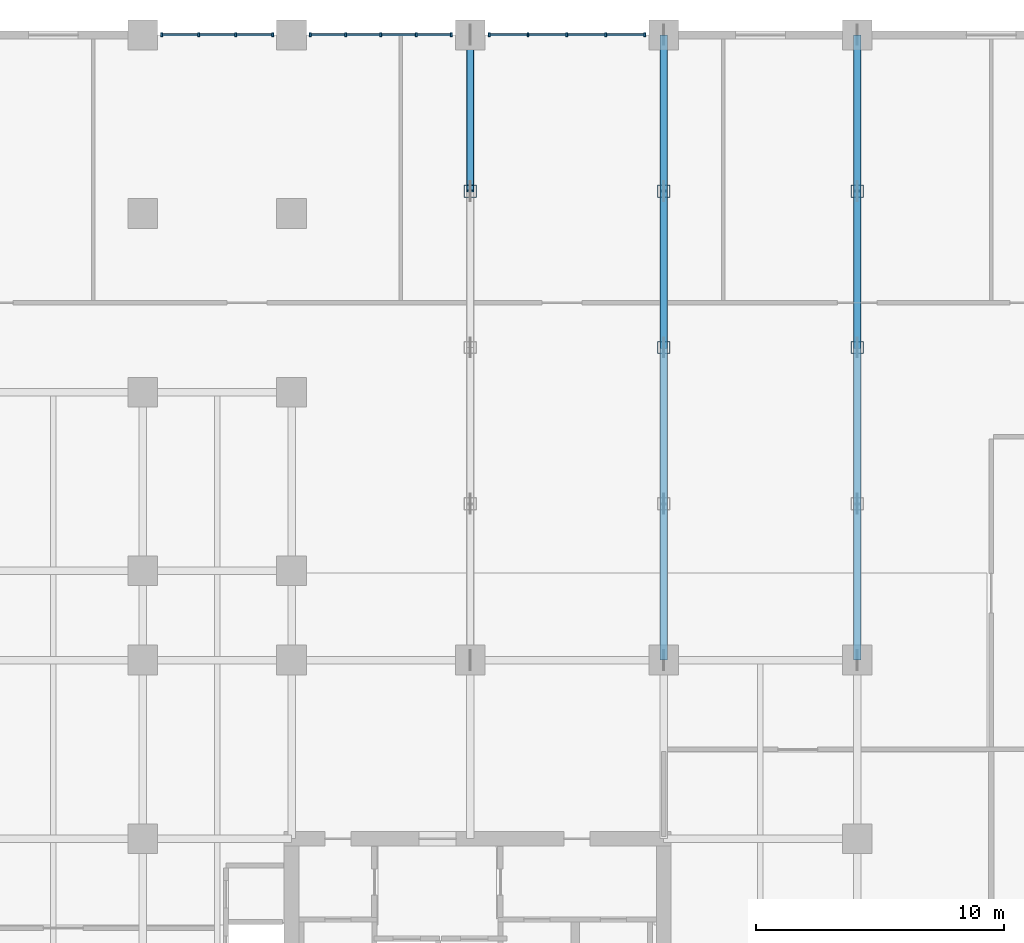
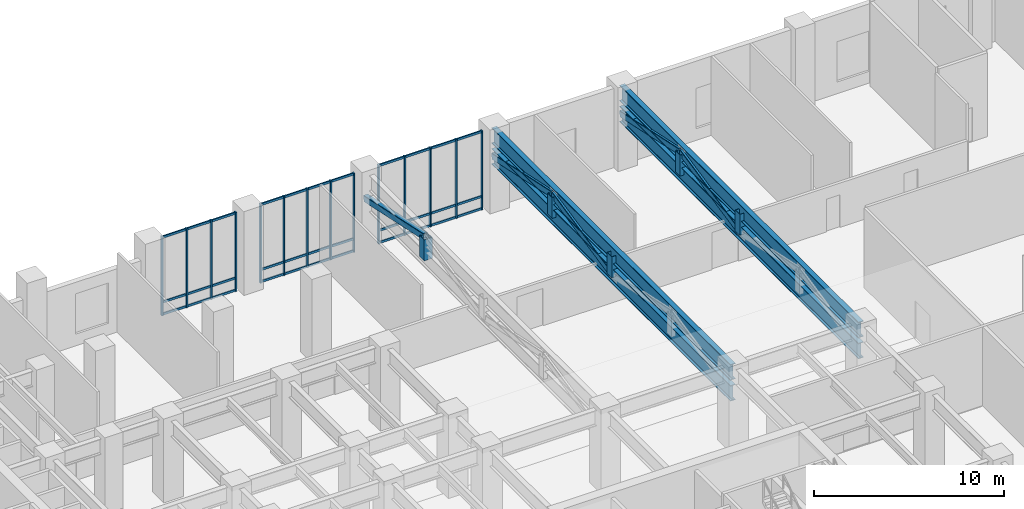
# One storey, part 3 of 19: 61 members, 3 elements without a shape of their own.
"""IFC4 building model written with IfcOpenShell, lengths in metres."""

from ifc_helpers import new_model, si_unit, derived_unit, direction, frame, origin, origin_2d, place, context, subcontext, project, spatial, rectangle, hollow_rectangle, i_section, extrude, source, transform, mapped, material, layer, layer_set, material_profile, profile_set, type_object, type_shapes, element, aggregate, save


model = new_model("IFC4")

# Units and contexts
model_context = context("Model", 3, precision=1e-05, world=origin(), true_north=direction((0.0, 1.0)))
body_context = subcontext(model_context, "Body", "Model", "MODEL_VIEW")
ifc_project = project(units=[si_unit("LENGTHUNIT", "METRE"), si_unit("AREAUNIT", "SQUARE_METRE"), si_unit("VOLUMEUNIT", "CUBIC_METRE"), si_unit("PLANEANGLEUNIT", "RADIAN"), si_unit("MASSUNIT", "GRAM", prefix="KILO"), si_unit("THERMODYNAMICTEMPERATUREUNIT", "KELVIN"), si_unit("POWERUNIT", "WATT"), derived_unit("THERMALTRANSMITTANCEUNIT", [(si_unit("POWERUNIT", "WATT"), 1), (si_unit("AREAUNIT", "SQUARE_METRE"), -1), (si_unit("THERMODYNAMICTEMPERATUREUNIT", "KELVIN"), -1)])], contexts=[model_context])

# Site, building, storey
site_placement = place(None, origin())
site = spatial("IfcSite", under=ifc_project, at=site_placement, CompositionType="ELEMENT")
building_placement = place(site_placement, origin())
building = spatial("IfcBuilding", under=site, at=building_placement, Name="Zahravan Archway Hotel and Residences", CompositionType="ELEMENT")
storey_placement = place(building_placement, frame((0.0, 0.0, 21.60009765625)))
storey = spatial("IfcBuildingStorey", under=building, at=storey_placement, Name="L04", CompositionType="ELEMENT", Elevation=21.60009765625)

# Members
ifc_material_1 = material(Name="Structural Steel S460M", Category="steel")
ifc_material_profile_1 = material_profile(ifc_material_1, i_section(OverallWidth=0.302001953125, OverallDepth=1.008056640625, WebThickness=0.02099609375, FlangeThickness=0.0400390625, FilletRadius=0.030029296875, at=origin_2d()), Name="HEM 1000", Category="steel")
ifc_profile_set_1 = profile_set([ifc_material_profile_1], Name="Structural Steel S460M")
member_type_1 = type_object("IfcMemberType", Name="MEM-CHD-HEM1000", PredefinedType="CHORD", material=ifc_profile_set_1)
shared_shape_1 = source(origin(), body_context, "Body", "SweptSolid", [
    extrude(i_section(OverallWidth=0.302001953125, OverallDepth=1.008056640625, WebThickness=0.02099609375, FlangeThickness=0.0400390625, FilletRadius=0.030029296875, at=origin_2d()), origin(), (0.0, 0.0, 1.0), 25.199951171875),
])
type_shapes(member_type_1, [shared_shape_1])
for number, where, z_axis, x_axis, name in (
    (1, (49.800048828125, 21.60009765625, 4.5498046875), (0.0, 1.0, 0.0), (-1.0, 0.0, 0.0), "L04 Long-Span Transfer Truss 2 Top Chord"),
    (2, (49.800048828125, 21.60009765625, 3.199951171875), (0.0, 1.0, 0.0), (-1.0, 0.0, 0.0), "L04 Long-Span Transfer Truss 2 Bottom Chord"),
    (3, (57.60009765625, 21.60009765625, 4.5498046875), (0.0, 1.0, 0.0), (-1.0, 0.0, 0.0), "L04 Long-Span Transfer Truss 3 Top Chord"),
    (4, (57.60009765625, 21.60009765625, 3.199951171875), (0.0, 1.0, 0.0), (-1.0, 0.0, 0.0), "L04 Long-Span Transfer Truss 3 Bottom Chord"),
):
    element("IfcMember", number, at=place(storey_placement, frame(where, z_axis=z_axis, x_axis=x_axis)), inside=storey, type_object=member_type_1, Name=name, PredefinedType="CHORD", context=body_context, shape_type="MappedRepresentation", body=[
        mapped(shared_shape_1, transform((0.0, 0.0, 0.0), scale=1.0)),
    ])
ifc_material_profile_2 = material_profile(ifc_material_1, hollow_rectangle(XDim=0.5, YDim=0.5, WallThickness=0.02490234375, at=origin_2d()), Name="SHS 500x500x25", Category="steel")
ifc_profile_set_2 = profile_set([ifc_material_profile_2], Name="Structural Steel S460M")
member_type_2 = type_object("IfcMemberType", Name="MEM-POST-SHS500", PredefinedType="POST", material=ifc_profile_set_2)
shared_shape_2 = source(origin(), body_context, "Body", "SweptSolid", [
    extrude(hollow_rectangle(XDim=0.5, YDim=0.5, WallThickness=0.02490234375, at=origin_2d()), origin(), (0.0, 0.0, 1.0), 1.349853515625),
])
for number, where, z_axis, x_axis, name in (
    (5, (42.0, 40.5, 3.199951171875), (0.0, 0.0, 1.0), (1.0, 0.0, 0.0), "L04 Long-Span Truss 1 Post 3"),
    (6, (49.800048828125, 34.199951171875, 3.199951171875), (0.0, 0.0, 1.0), (1.0, 0.0, 0.0), "L04 Long-Span Truss 2 Post 2"),
    (7, (49.800048828125, 40.5, 3.199951171875), (0.0, 0.0, 1.0), (1.0, 0.0, 0.0), "L04 Long-Span Truss 2 Post 3"),
    (8, (57.60009765625, 34.199951171875, 3.199951171875), (0.0, 0.0, 1.0), (1.0, 0.0, 0.0), "L04 Long-Span Truss 3 Post 2"),
    (9, (57.60009765625, 40.5, 3.199951171875), (0.0, 0.0, 1.0), (1.0, 0.0, 0.0), "L04 Long-Span Truss 3 Post 3"),
):
    element("IfcMember", number, at=place(storey_placement, frame(where, z_axis=z_axis, x_axis=x_axis)), inside=storey, type_object=member_type_2, Name=name, PredefinedType="POST", context=body_context, shape_type="MappedRepresentation", body=[
        mapped(shared_shape_2, transform((0.0, 0.0, 0.0), scale=1.0)),
    ])
ifc_material_profile_3 = material_profile(ifc_material_1, hollow_rectangle(XDim=0.300048828125, YDim=0.39990234375, WallThickness=0.02001953125, InnerFilletRadius=0.02001953125, OuterFilletRadius=0.0400390625, at=origin_2d()), Name="RHS 400x300x20", Category="steel")
ifc_profile_set_3 = profile_set([ifc_material_profile_3], Name="Structural Steel S460M")
member_type_3 = type_object("IfcMemberType", Name="MEM-DIAG-RHS430", PredefinedType="BRACE", material=ifc_profile_set_3)
shared_shape_3 = source(origin(), body_context, "Body", "SweptSolid", [
    extrude(hollow_rectangle(XDim=0.300048828125, YDim=0.39990234375, WallThickness=0.02001953125, InnerFilletRadius=0.02001953125, OuterFilletRadius=0.0400390625, at=origin_2d()), origin(), (0.0, 0.0, 1.0), 6.443115234375),
])
for number, where, z_axis, x_axis, name in (
    (10, (42.0, 40.5, 4.5498046875), (0.0, 0.977807404476, -0.209505798851), (-1.0, 0.0, 0.0), "L04 Long-Span Truss 1 Diagonal 4"),
    (11, (49.800048828125, 34.199951171875, 3.199951171875), (0.0, 0.977807404476, 0.209505798851), (-1.0, 0.0, 0.0), "L04 Long-Span Truss 2 Diagonal 3"),
    (12, (49.800048828125, 40.5, 4.5498046875), (0.0, 0.977807404476, -0.209505798851), (-1.0, 0.0, 0.0), "L04 Long-Span Truss 2 Diagonal 4"),
    (13, (57.60009765625, 34.199951171875, 3.199951171875), (0.0, 0.977807404476, 0.209505798851), (-1.0, 0.0, 0.0), "L04 Long-Span Truss 3 Diagonal 3"),
    (14, (57.60009765625, 40.5, 4.5498046875), (0.0, 0.977807404476, -0.209505798851), (-1.0, 0.0, 0.0), "L04 Long-Span Truss 3 Diagonal 4"),
):
    element("IfcMember", number, at=place(storey_placement, frame(where, z_axis=z_axis, x_axis=x_axis)), inside=storey, type_object=member_type_3, Name=name, PredefinedType="BRACE", context=body_context, shape_type="MappedRepresentation", body=[
        mapped(shared_shape_3, transform((0.0, 0.0, 0.0), scale=1.0)),
    ])

# Curtain wall, members
ifc_material_2 = material(Name="Bronze-Anodized Unitised Aluminium & Low-E Glass", Category="aluminium")
ifc_layer = layer(ifc_material_2, 0.179931640625, Name="Bronze-Anodized Unitised Aluminium & Low-E Glass", Category="aluminium")
ifc_layer_set = layer_set([ifc_layer], Name="Bronze-Anodized Unitised Aluminium & Low-E Glass")
curtain_wall_type = type_object("IfcCurtainWallType", Name="CW-POD-ARCH", PredefinedType="NOTDEFINED", material=ifc_layer_set)
curtain_wall_1_placement = place(storey_placement, origin())
curtain_wall_1 = element("IfcCurtainWall", 15, at=curtain_wall_1_placement, inside=storey, type_object=curtain_wall_type, Name="L04 Curtain Wall CW-POD-L04-1", PredefinedType="NOTDEFINED")
ifc_material_3 = material(Name="Bronze-Anodized Extruded Aluminium", Category="aluminium")
ifc_material_profile_4 = material_profile(ifc_material_3, rectangle(XDim=0.080078125, YDim=0.139892578125, at=origin_2d()), Name="TRN 80x140", Category="aluminium")
ifc_profile_set_4 = profile_set([ifc_material_profile_4], Name="Bronze-Anodized Extruded Aluminium")
member_type_4 = type_object("IfcMemberType", Name="CWM-TRN-140", PredefinedType="USERDEFINED", material=ifc_profile_set_4)
shared_shape_4 = source(origin(), body_context, "Body", "SweptSolid", [
    extrude(rectangle(XDim=0.080078125, YDim=0.139892578125, at=origin_2d()), origin(), (0.0, 0.0, 1.0), 1.4130859375),
])
type_shapes(member_type_4, [shared_shape_4])
member_1_placement = place(storey_placement, frame((29.60009765625, 46.800048828125, 0.06982421875), z_axis=(1.0, 0.0, 0.0), x_axis=(0.0, 1.0, 0.0)))
member_1 = element("IfcMember", 16, at=member_1_placement, type_object=member_type_4, Name="CW-POD-L04-1 Transom 0-1", ObjectType="TRANSOM", PredefinedType="USERDEFINED", context=body_context, shape_type="MappedRepresentation", body=[
    mapped(shared_shape_4, transform((0.0, 0.0, 0.0), scale=1.0)),
])
member_2_placement = place(storey_placement, frame((29.60009765625, 46.800048828125, 0.849853515625), z_axis=(1.0, 0.0, 0.0), x_axis=(0.0, 1.0, 0.0)))
member_2 = element("IfcMember", 17, at=member_2_placement, type_object=member_type_4, Name="CW-POD-L04-1 Transom 0-2", ObjectType="TRANSOM", PredefinedType="USERDEFINED", context=body_context, shape_type="MappedRepresentation", body=[
    mapped(shared_shape_4, transform((0.0, 0.0, 0.0), scale=1.0)),
])
member_3_placement = place(storey_placement, frame((29.60009765625, 46.800048828125, 5.02978515625), z_axis=(1.0, 0.0, 0.0), x_axis=(0.0, 1.0, 0.0)))
member_3 = element("IfcMember", 18, at=member_3_placement, type_object=member_type_4, Name="CW-POD-L04-1 Transom 0-3", ObjectType="TRANSOM", PredefinedType="USERDEFINED", context=body_context, shape_type="MappedRepresentation", body=[
    mapped(shared_shape_4, transform((0.0, 0.0, 0.0), scale=1.0)),
])
shared_shape_5 = source(origin(), body_context, "Body", "SweptSolid", [
    extrude(rectangle(XDim=0.080078125, YDim=0.139892578125, at=origin_2d()), origin(), (0.0, 0.0, 1.0), 1.413330078125),
])
member_4_placement = place(storey_placement, frame((31.09326171875, 46.800048828125, 0.06982421875), z_axis=(1.0, 0.0, 0.0), x_axis=(0.0, 1.0, 0.0)))
member_4 = element("IfcMember", 19, at=member_4_placement, type_object=member_type_4, Name="CW-POD-L04-1 Transom 1-1", ObjectType="TRANSOM", PredefinedType="USERDEFINED", context=body_context, shape_type="MappedRepresentation", body=[
    mapped(shared_shape_5, transform((0.0, 0.0, 0.0), scale=1.0)),
])
member_5_placement = place(storey_placement, frame((31.09326171875, 46.800048828125, 0.849853515625), z_axis=(1.0, 0.0, 0.0), x_axis=(0.0, 1.0, 0.0)))
member_5 = element("IfcMember", 20, at=member_5_placement, type_object=member_type_4, Name="CW-POD-L04-1 Transom 1-2", ObjectType="TRANSOM", PredefinedType="USERDEFINED", context=body_context, shape_type="MappedRepresentation", body=[
    mapped(shared_shape_5, transform((0.0, 0.0, 0.0), scale=1.0)),
])
member_6_placement = place(storey_placement, frame((31.09326171875, 46.800048828125, 5.02978515625), z_axis=(1.0, 0.0, 0.0), x_axis=(0.0, 1.0, 0.0)))
member_6 = element("IfcMember", 21, at=member_6_placement, type_object=member_type_4, Name="CW-POD-L04-1 Transom 1-3", ObjectType="TRANSOM", PredefinedType="USERDEFINED", context=body_context, shape_type="MappedRepresentation", body=[
    mapped(shared_shape_5, transform((0.0, 0.0, 0.0), scale=1.0)),
])
member_7_placement = place(storey_placement, frame((32.586669921875, 46.800048828125, 0.06982421875), z_axis=(1.0, 0.0, 0.0), x_axis=(0.0, 1.0, 0.0)))
member_7 = element("IfcMember", 22, at=member_7_placement, type_object=member_type_4, Name="CW-POD-L04-1 Transom 2-1", ObjectType="TRANSOM", PredefinedType="USERDEFINED", context=body_context, shape_type="MappedRepresentation", body=[
    mapped(shared_shape_5, transform((0.0, 0.0, 0.0), scale=1.0)),
])
member_8_placement = place(storey_placement, frame((32.586669921875, 46.800048828125, 0.849853515625), z_axis=(1.0, 0.0, 0.0), x_axis=(0.0, 1.0, 0.0)))
member_8 = element("IfcMember", 23, at=member_8_placement, type_object=member_type_4, Name="CW-POD-L04-1 Transom 2-2", ObjectType="TRANSOM", PredefinedType="USERDEFINED", context=body_context, shape_type="MappedRepresentation", body=[
    mapped(shared_shape_5, transform((0.0, 0.0, 0.0), scale=1.0)),
])
member_9_placement = place(storey_placement, frame((32.586669921875, 46.800048828125, 5.02978515625), z_axis=(1.0, 0.0, 0.0), x_axis=(0.0, 1.0, 0.0)))
member_9 = element("IfcMember", 24, at=member_9_placement, type_object=member_type_4, Name="CW-POD-L04-1 Transom 2-3", ObjectType="TRANSOM", PredefinedType="USERDEFINED", context=body_context, shape_type="MappedRepresentation", body=[
    mapped(shared_shape_5, transform((0.0, 0.0, 0.0), scale=1.0)),
])

curtain_wall_2_placement = place(storey_placement, origin())
curtain_wall_2 = element("IfcCurtainWall", 25, at=curtain_wall_2_placement, inside=storey, type_object=curtain_wall_type, Name="L04 Curtain Wall CW-POD-L04-2", PredefinedType="NOTDEFINED")
shared_shape_6 = source(origin(), body_context, "Body", "SweptSolid", [
    extrude(rectangle(XDim=0.080078125, YDim=0.139892578125, at=origin_2d()), origin(), (0.0, 0.0, 1.0), 1.33984375),
])
member_10_placement = place(storey_placement, frame((35.60009765625, 46.800048828125, 0.06982421875), z_axis=(1.0, 0.0, 0.0), x_axis=(0.0, 1.0, 0.0)))
member_10 = element("IfcMember", 26, at=member_10_placement, type_object=member_type_4, Name="CW-POD-L04-2 Transom 0-1", ObjectType="TRANSOM", PredefinedType="USERDEFINED", context=body_context, shape_type="MappedRepresentation", body=[
    mapped(shared_shape_6, transform((0.0, 0.0, 0.0), scale=1.0)),
])
member_11_placement = place(storey_placement, frame((35.60009765625, 46.800048828125, 0.849853515625), z_axis=(1.0, 0.0, 0.0), x_axis=(0.0, 1.0, 0.0)))
member_11 = element("IfcMember", 27, at=member_11_placement, type_object=member_type_4, Name="CW-POD-L04-2 Transom 0-2", ObjectType="TRANSOM", PredefinedType="USERDEFINED", context=body_context, shape_type="MappedRepresentation", body=[
    mapped(shared_shape_6, transform((0.0, 0.0, 0.0), scale=1.0)),
])
member_12_placement = place(storey_placement, frame((35.60009765625, 46.800048828125, 5.02978515625), z_axis=(1.0, 0.0, 0.0), x_axis=(0.0, 1.0, 0.0)))
member_12 = element("IfcMember", 28, at=member_12_placement, type_object=member_type_4, Name="CW-POD-L04-2 Transom 0-3", ObjectType="TRANSOM", PredefinedType="USERDEFINED", context=body_context, shape_type="MappedRepresentation", body=[
    mapped(shared_shape_6, transform((0.0, 0.0, 0.0), scale=1.0)),
])
member_13_placement = place(storey_placement, frame((39.860107421875, 46.800048828125, 0.06982421875), z_axis=(1.0, 0.0, 0.0), x_axis=(0.0, 1.0, 0.0)))
member_13 = element("IfcMember", 29, at=member_13_placement, type_object=member_type_4, Name="CW-POD-L04-2 Transom 3-1", ObjectType="TRANSOM", PredefinedType="USERDEFINED", context=body_context, shape_type="MappedRepresentation", body=[
    mapped(shared_shape_6, transform((0.0, 0.0, 0.0), scale=1.0)),
])
member_14_placement = place(storey_placement, frame((39.860107421875, 46.800048828125, 0.849853515625), z_axis=(1.0, 0.0, 0.0), x_axis=(0.0, 1.0, 0.0)))
member_14 = element("IfcMember", 30, at=member_14_placement, type_object=member_type_4, Name="CW-POD-L04-2 Transom 3-2", ObjectType="TRANSOM", PredefinedType="USERDEFINED", context=body_context, shape_type="MappedRepresentation", body=[
    mapped(shared_shape_6, transform((0.0, 0.0, 0.0), scale=1.0)),
])
member_15_placement = place(storey_placement, frame((39.860107421875, 46.800048828125, 5.02978515625), z_axis=(1.0, 0.0, 0.0), x_axis=(0.0, 1.0, 0.0)))
member_15 = element("IfcMember", 31, at=member_15_placement, type_object=member_type_4, Name="CW-POD-L04-2 Transom 3-3", ObjectType="TRANSOM", PredefinedType="USERDEFINED", context=body_context, shape_type="MappedRepresentation", body=[
    mapped(shared_shape_6, transform((0.0, 0.0, 0.0), scale=1.0)),
])
shared_shape_7 = source(origin(), body_context, "Body", "SweptSolid", [
    extrude(rectangle(XDim=0.080078125, YDim=0.139892578125, at=origin_2d()), origin(), (0.0, 0.0, 1.0), 1.340087890625),
])
member_16_placement = place(storey_placement, frame((37.02001953125, 46.800048828125, 0.06982421875), z_axis=(1.0, 0.0, 0.0), x_axis=(0.0, 1.0, 0.0)))
member_16 = element("IfcMember", 32, at=member_16_placement, type_object=member_type_4, Name="CW-POD-L04-2 Transom 1-1", ObjectType="TRANSOM", PredefinedType="USERDEFINED", context=body_context, shape_type="MappedRepresentation", body=[
    mapped(shared_shape_7, transform((0.0, 0.0, 0.0), scale=1.0)),
])
member_17_placement = place(storey_placement, frame((37.02001953125, 46.800048828125, 0.849853515625), z_axis=(1.0, 0.0, 0.0), x_axis=(0.0, 1.0, 0.0)))
member_17 = element("IfcMember", 33, at=member_17_placement, type_object=member_type_4, Name="CW-POD-L04-2 Transom 1-2", ObjectType="TRANSOM", PredefinedType="USERDEFINED", context=body_context, shape_type="MappedRepresentation", body=[
    mapped(shared_shape_7, transform((0.0, 0.0, 0.0), scale=1.0)),
])
member_18_placement = place(storey_placement, frame((37.02001953125, 46.800048828125, 5.02978515625), z_axis=(1.0, 0.0, 0.0), x_axis=(0.0, 1.0, 0.0)))
member_18 = element("IfcMember", 34, at=member_18_placement, type_object=member_type_4, Name="CW-POD-L04-2 Transom 1-3", ObjectType="TRANSOM", PredefinedType="USERDEFINED", context=body_context, shape_type="MappedRepresentation", body=[
    mapped(shared_shape_7, transform((0.0, 0.0, 0.0), scale=1.0)),
])
member_19_placement = place(storey_placement, frame((38.43994140625, 46.800048828125, 0.06982421875), z_axis=(1.0, 0.0, 0.0), x_axis=(0.0, 1.0, 0.0)))
member_19 = element("IfcMember", 35, at=member_19_placement, type_object=member_type_4, Name="CW-POD-L04-2 Transom 2-1", ObjectType="TRANSOM", PredefinedType="USERDEFINED", context=body_context, shape_type="MappedRepresentation", body=[
    mapped(shared_shape_7, transform((0.0, 0.0, 0.0), scale=1.0)),
])
member_20_placement = place(storey_placement, frame((38.43994140625, 46.800048828125, 0.849853515625), z_axis=(1.0, 0.0, 0.0), x_axis=(0.0, 1.0, 0.0)))
member_20 = element("IfcMember", 36, at=member_20_placement, type_object=member_type_4, Name="CW-POD-L04-2 Transom 2-2", ObjectType="TRANSOM", PredefinedType="USERDEFINED", context=body_context, shape_type="MappedRepresentation", body=[
    mapped(shared_shape_7, transform((0.0, 0.0, 0.0), scale=1.0)),
])
member_21_placement = place(storey_placement, frame((38.43994140625, 46.800048828125, 5.02978515625), z_axis=(1.0, 0.0, 0.0), x_axis=(0.0, 1.0, 0.0)))
member_21 = element("IfcMember", 37, at=member_21_placement, type_object=member_type_4, Name="CW-POD-L04-2 Transom 2-3", ObjectType="TRANSOM", PredefinedType="USERDEFINED", context=body_context, shape_type="MappedRepresentation", body=[
    mapped(shared_shape_7, transform((0.0, 0.0, 0.0), scale=1.0)),
])

curtain_wall_3_placement = place(storey_placement, origin())
curtain_wall_3 = element("IfcCurtainWall", 38, at=curtain_wall_3_placement, inside=storey, type_object=curtain_wall_type, Name="L04 Curtain Wall CW-POD-L04-3", PredefinedType="NOTDEFINED")
shared_shape_8 = source(origin(), body_context, "Body", "SweptSolid", [
    extrude(rectangle(XDim=0.080078125, YDim=0.139892578125, at=origin_2d()), origin(), (0.0, 0.0, 1.0), 1.489990234375),
])
member_22_placement = place(storey_placement, frame((42.800048828125, 46.800048828125, 0.06982421875), z_axis=(1.0, 0.0, 0.0), x_axis=(0.0, 1.0, 0.0)))
member_22 = element("IfcMember", 39, at=member_22_placement, type_object=member_type_4, Name="CW-POD-L04-3 Transom 0-1", ObjectType="TRANSOM", PredefinedType="USERDEFINED", context=body_context, shape_type="MappedRepresentation", body=[
    mapped(shared_shape_8, transform((0.0, 0.0, 0.0), scale=1.0)),
])
member_23_placement = place(storey_placement, frame((42.800048828125, 46.800048828125, 0.849853515625), z_axis=(1.0, 0.0, 0.0), x_axis=(0.0, 1.0, 0.0)))
member_23 = element("IfcMember", 40, at=member_23_placement, type_object=member_type_4, Name="CW-POD-L04-3 Transom 0-2", ObjectType="TRANSOM", PredefinedType="USERDEFINED", context=body_context, shape_type="MappedRepresentation", body=[
    mapped(shared_shape_8, transform((0.0, 0.0, 0.0), scale=1.0)),
])
member_24_placement = place(storey_placement, frame((42.800048828125, 46.800048828125, 5.02978515625), z_axis=(1.0, 0.0, 0.0), x_axis=(0.0, 1.0, 0.0)))
member_24 = element("IfcMember", 41, at=member_24_placement, type_object=member_type_4, Name="CW-POD-L04-3 Transom 0-3", ObjectType="TRANSOM", PredefinedType="USERDEFINED", context=body_context, shape_type="MappedRepresentation", body=[
    mapped(shared_shape_8, transform((0.0, 0.0, 0.0), scale=1.0)),
])
member_25_placement = place(storey_placement, frame((44.3701171875, 46.800048828125, 0.06982421875), z_axis=(1.0, 0.0, 0.0), x_axis=(0.0, 1.0, 0.0)))
member_25 = element("IfcMember", 42, at=member_25_placement, type_object=member_type_4, Name="CW-POD-L04-3 Transom 1-1", ObjectType="TRANSOM", PredefinedType="USERDEFINED", context=body_context, shape_type="MappedRepresentation", body=[
    mapped(shared_shape_8, transform((0.0, 0.0, 0.0), scale=1.0)),
])
member_26_placement = place(storey_placement, frame((44.3701171875, 46.800048828125, 0.849853515625), z_axis=(1.0, 0.0, 0.0), x_axis=(0.0, 1.0, 0.0)))
member_26 = element("IfcMember", 43, at=member_26_placement, type_object=member_type_4, Name="CW-POD-L04-3 Transom 1-2", ObjectType="TRANSOM", PredefinedType="USERDEFINED", context=body_context, shape_type="MappedRepresentation", body=[
    mapped(shared_shape_8, transform((0.0, 0.0, 0.0), scale=1.0)),
])
member_27_placement = place(storey_placement, frame((44.3701171875, 46.800048828125, 5.02978515625), z_axis=(1.0, 0.0, 0.0), x_axis=(0.0, 1.0, 0.0)))
member_27 = element("IfcMember", 44, at=member_27_placement, type_object=member_type_4, Name="CW-POD-L04-3 Transom 1-3", ObjectType="TRANSOM", PredefinedType="USERDEFINED", context=body_context, shape_type="MappedRepresentation", body=[
    mapped(shared_shape_8, transform((0.0, 0.0, 0.0), scale=1.0)),
])
member_28_placement = place(storey_placement, frame((45.93994140625, 46.800048828125, 0.06982421875), z_axis=(1.0, 0.0, 0.0), x_axis=(0.0, 1.0, 0.0)))
member_28 = element("IfcMember", 45, at=member_28_placement, type_object=member_type_4, Name="CW-POD-L04-3 Transom 2-1", ObjectType="TRANSOM", PredefinedType="USERDEFINED", context=body_context, shape_type="MappedRepresentation", body=[
    mapped(shared_shape_8, transform((0.0, 0.0, 0.0), scale=1.0)),
])
member_29_placement = place(storey_placement, frame((45.93994140625, 46.800048828125, 0.849853515625), z_axis=(1.0, 0.0, 0.0), x_axis=(0.0, 1.0, 0.0)))
member_29 = element("IfcMember", 46, at=member_29_placement, type_object=member_type_4, Name="CW-POD-L04-3 Transom 2-2", ObjectType="TRANSOM", PredefinedType="USERDEFINED", context=body_context, shape_type="MappedRepresentation", body=[
    mapped(shared_shape_8, transform((0.0, 0.0, 0.0), scale=1.0)),
])
member_30_placement = place(storey_placement, frame((45.93994140625, 46.800048828125, 5.02978515625), z_axis=(1.0, 0.0, 0.0), x_axis=(0.0, 1.0, 0.0)))
member_30 = element("IfcMember", 47, at=member_30_placement, type_object=member_type_4, Name="CW-POD-L04-3 Transom 2-3", ObjectType="TRANSOM", PredefinedType="USERDEFINED", context=body_context, shape_type="MappedRepresentation", body=[
    mapped(shared_shape_8, transform((0.0, 0.0, 0.0), scale=1.0)),
])
member_31_placement = place(storey_placement, frame((47.510009765625, 46.800048828125, 0.06982421875), z_axis=(1.0, 0.0, 0.0), x_axis=(0.0, 1.0, 0.0)))
member_31 = element("IfcMember", 48, at=member_31_placement, type_object=member_type_4, Name="CW-POD-L04-3 Transom 3-1", ObjectType="TRANSOM", PredefinedType="USERDEFINED", context=body_context, shape_type="MappedRepresentation", body=[
    mapped(shared_shape_8, transform((0.0, 0.0, 0.0), scale=1.0)),
])
member_32_placement = place(storey_placement, frame((47.510009765625, 46.800048828125, 0.849853515625), z_axis=(1.0, 0.0, 0.0), x_axis=(0.0, 1.0, 0.0)))
member_32 = element("IfcMember", 49, at=member_32_placement, type_object=member_type_4, Name="CW-POD-L04-3 Transom 3-2", ObjectType="TRANSOM", PredefinedType="USERDEFINED", context=body_context, shape_type="MappedRepresentation", body=[
    mapped(shared_shape_8, transform((0.0, 0.0, 0.0), scale=1.0)),
])
member_33_placement = place(storey_placement, frame((47.510009765625, 46.800048828125, 5.02978515625), z_axis=(1.0, 0.0, 0.0), x_axis=(0.0, 1.0, 0.0)))
member_33 = element("IfcMember", 50, at=member_33_placement, type_object=member_type_4, Name="CW-POD-L04-3 Transom 3-3", ObjectType="TRANSOM", PredefinedType="USERDEFINED", context=body_context, shape_type="MappedRepresentation", body=[
    mapped(shared_shape_8, transform((0.0, 0.0, 0.0), scale=1.0)),
])

# Member
ifc_material_profile_5 = material_profile(ifc_material_3, rectangle(XDim=0.080078125, YDim=0.159912109375, at=origin_2d()), Name="MUL 80x160", Category="aluminium")
ifc_profile_set_5 = profile_set([ifc_material_profile_5], Name="Bronze-Anodized Extruded Aluminium")
member_type_5 = type_object("IfcMemberType", Name="CWM-MUL-160", PredefinedType="MULLION", material=ifc_profile_set_5)
shared_shape_9 = source(origin(), body_context, "Body", "SweptSolid", [
    extrude(rectangle(XDim=0.080078125, YDim=0.159912109375, at=origin_2d()), origin(), (0.0, 0.0, 1.0), 5.099853515625),
])
member_34_placement = place(storey_placement, frame((29.56005859375, 46.800048828125, 0.0), z_axis=(0.0, 0.0, 1.0), x_axis=(1.0, 0.0, 0.0)))
member_34 = element("IfcMember", 51, at=member_34_placement, type_object=member_type_5, Name="CW-POD-L04-1 Mullion 0", PredefinedType="MULLION", context=body_context, shape_type="MappedRepresentation", body=[
    mapped(shared_shape_9, transform((0.0, 0.0, 0.0), scale=1.0)),
])

member_35_placement = place(storey_placement, frame((31.05322265625, 46.800048828125, 0.0), z_axis=(0.0, 0.0, 1.0), x_axis=(1.0, 0.0, 0.0)))
member_35 = element("IfcMember", 52, at=member_35_placement, type_object=member_type_5, Name="CW-POD-L04-1 Mullion 1", PredefinedType="MULLION", context=body_context, shape_type="MappedRepresentation", body=[
    mapped(shared_shape_9, transform((0.0, 0.0, 0.0), scale=1.0)),
])

member_36_placement = place(storey_placement, frame((32.546630859375, 46.800048828125, 0.0), z_axis=(0.0, 0.0, 1.0), x_axis=(1.0, 0.0, 0.0)))
member_36 = element("IfcMember", 53, at=member_36_placement, type_object=member_type_5, Name="CW-POD-L04-1 Mullion 2", PredefinedType="MULLION", context=body_context, shape_type="MappedRepresentation", body=[
    mapped(shared_shape_9, transform((0.0, 0.0, 0.0), scale=1.0)),
])

member_37_placement = place(storey_placement, frame((34.0400390625, 46.800048828125, 0.0), z_axis=(0.0, 0.0, 1.0), x_axis=(1.0, 0.0, 0.0)))
member_37 = element("IfcMember", 54, at=member_37_placement, type_object=member_type_5, Name="CW-POD-L04-1 Mullion 3", PredefinedType="MULLION", context=body_context, shape_type="MappedRepresentation", body=[
    mapped(shared_shape_9, transform((0.0, 0.0, 0.0), scale=1.0)),
])

aggregate(curtain_wall_1, [member_34, member_35, member_36, member_37, member_1, member_2, member_3, member_4, member_5, member_6, member_7, member_8, member_9])

member_38_placement = place(storey_placement, frame((35.56005859375, 46.800048828125, 0.0), z_axis=(0.0, 0.0, 1.0), x_axis=(1.0, 0.0, 0.0)))
member_38 = element("IfcMember", 55, at=member_38_placement, type_object=member_type_5, Name="CW-POD-L04-2 Mullion 0", PredefinedType="MULLION", context=body_context, shape_type="MappedRepresentation", body=[
    mapped(shared_shape_9, transform((0.0, 0.0, 0.0), scale=1.0)),
])

member_39_placement = place(storey_placement, frame((36.97998046875, 46.800048828125, 0.0), z_axis=(0.0, 0.0, 1.0), x_axis=(1.0, 0.0, 0.0)))
member_39 = element("IfcMember", 56, at=member_39_placement, type_object=member_type_5, Name="CW-POD-L04-2 Mullion 1", PredefinedType="MULLION", context=body_context, shape_type="MappedRepresentation", body=[
    mapped(shared_shape_9, transform((0.0, 0.0, 0.0), scale=1.0)),
])

member_40_placement = place(storey_placement, frame((38.39990234375, 46.800048828125, 0.0), z_axis=(0.0, 0.0, 1.0), x_axis=(1.0, 0.0, 0.0)))
member_40 = element("IfcMember", 57, at=member_40_placement, type_object=member_type_5, Name="CW-POD-L04-2 Mullion 2", PredefinedType="MULLION", context=body_context, shape_type="MappedRepresentation", body=[
    mapped(shared_shape_9, transform((0.0, 0.0, 0.0), scale=1.0)),
])

member_41_placement = place(storey_placement, frame((39.820068359375, 46.800048828125, 0.0), z_axis=(0.0, 0.0, 1.0), x_axis=(1.0, 0.0, 0.0)))
member_41 = element("IfcMember", 58, at=member_41_placement, type_object=member_type_5, Name="CW-POD-L04-2 Mullion 3", PredefinedType="MULLION", context=body_context, shape_type="MappedRepresentation", body=[
    mapped(shared_shape_9, transform((0.0, 0.0, 0.0), scale=1.0)),
])

member_42_placement = place(storey_placement, frame((41.239990234375, 46.800048828125, 0.0), z_axis=(0.0, 0.0, 1.0), x_axis=(1.0, 0.0, 0.0)))
member_42 = element("IfcMember", 59, at=member_42_placement, type_object=member_type_5, Name="CW-POD-L04-2 Mullion 4", PredefinedType="MULLION", context=body_context, shape_type="MappedRepresentation", body=[
    mapped(shared_shape_9, transform((0.0, 0.0, 0.0), scale=1.0)),
])

aggregate(curtain_wall_2, [member_38, member_39, member_40, member_41, member_42, member_10, member_11, member_12, member_16, member_17, member_18, member_19, member_20, member_21, member_13, member_14, member_15])

member_43_placement = place(storey_placement, frame((42.760009765625, 46.800048828125, 0.0), z_axis=(0.0, 0.0, 1.0), x_axis=(1.0, 0.0, 0.0)))
member_43 = element("IfcMember", 60, at=member_43_placement, type_object=member_type_5, Name="CW-POD-L04-3 Mullion 0", PredefinedType="MULLION", context=body_context, shape_type="MappedRepresentation", body=[
    mapped(shared_shape_9, transform((0.0, 0.0, 0.0), scale=1.0)),
])

member_44_placement = place(storey_placement, frame((44.330078125, 46.800048828125, 0.0), z_axis=(0.0, 0.0, 1.0), x_axis=(1.0, 0.0, 0.0)))
member_44 = element("IfcMember", 61, at=member_44_placement, type_object=member_type_5, Name="CW-POD-L04-3 Mullion 1", PredefinedType="MULLION", context=body_context, shape_type="MappedRepresentation", body=[
    mapped(shared_shape_9, transform((0.0, 0.0, 0.0), scale=1.0)),
])

member_45_placement = place(storey_placement, frame((45.89990234375, 46.800048828125, 0.0), z_axis=(0.0, 0.0, 1.0), x_axis=(1.0, 0.0, 0.0)))
member_45 = element("IfcMember", 62, at=member_45_placement, type_object=member_type_5, Name="CW-POD-L04-3 Mullion 2", PredefinedType="MULLION", context=body_context, shape_type="MappedRepresentation", body=[
    mapped(shared_shape_9, transform((0.0, 0.0, 0.0), scale=1.0)),
])

member_46_placement = place(storey_placement, frame((47.469970703125, 46.800048828125, 0.0), z_axis=(0.0, 0.0, 1.0), x_axis=(1.0, 0.0, 0.0)))
member_46 = element("IfcMember", 63, at=member_46_placement, type_object=member_type_5, Name="CW-POD-L04-3 Mullion 3", PredefinedType="MULLION", context=body_context, shape_type="MappedRepresentation", body=[
    mapped(shared_shape_9, transform((0.0, 0.0, 0.0), scale=1.0)),
])

member_47_placement = place(storey_placement, frame((49.0400390625, 46.800048828125, 0.0), z_axis=(0.0, 0.0, 1.0), x_axis=(1.0, 0.0, 0.0)))
member_47 = element("IfcMember", 64, at=member_47_placement, type_object=member_type_5, Name="CW-POD-L04-3 Mullion 4", PredefinedType="MULLION", context=body_context, shape_type="MappedRepresentation", body=[
    mapped(shared_shape_9, transform((0.0, 0.0, 0.0), scale=1.0)),
])

aggregate(curtain_wall_3, [member_43, member_44, member_45, member_46, member_47, member_22, member_23, member_24, member_25, member_26, member_27, member_28, member_29, member_30, member_31, member_32, member_33])

save(model, "model.ifc")
